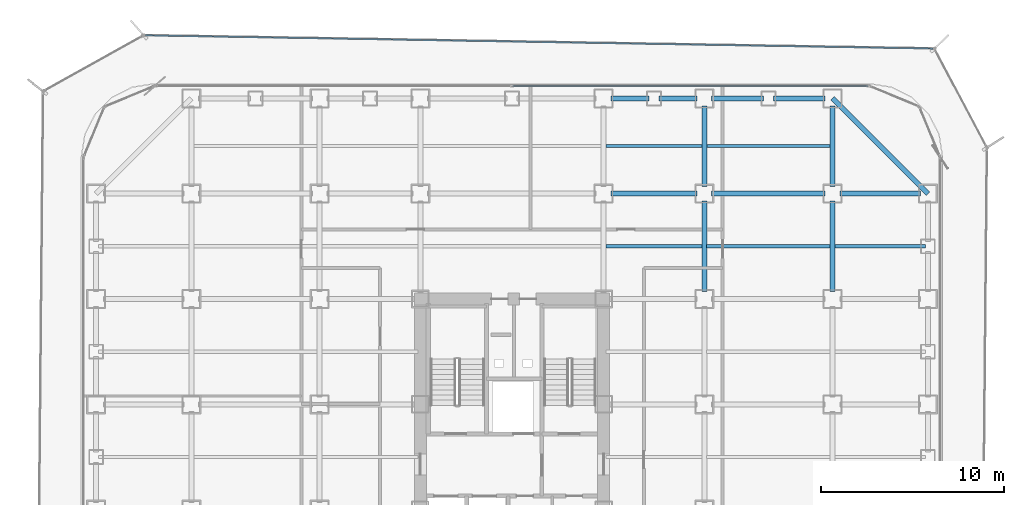
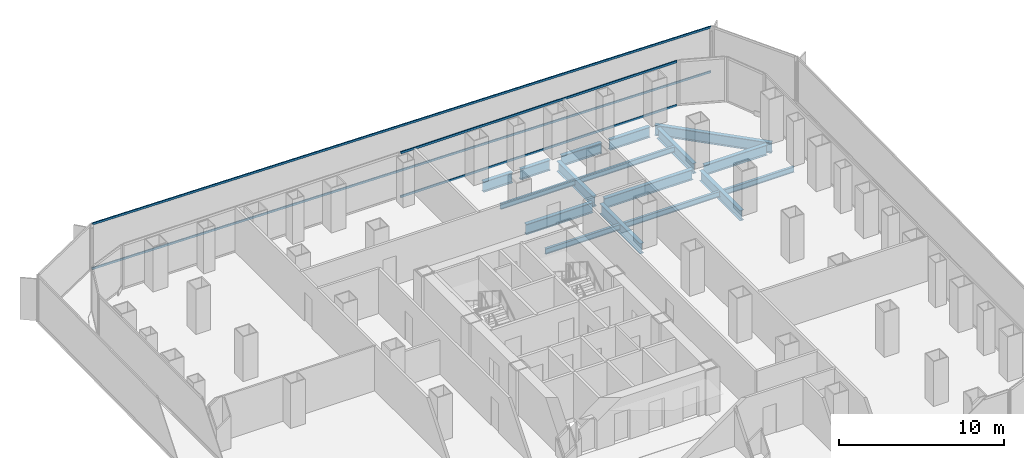
# One storey, part 14 of 21: 17 beams, 4 members, 2 elements without a shape of their own.
"""IFC4 building model written with IfcOpenShell, lengths in metres."""

from ifc_helpers import new_model, si_unit, direction, frame, origin, origin_2d, place, context, subcontext, project, spatial, hollow_rectangle, i_section, extrude, source, transform, mapped, material, layer, layer_set, material_profile, profile_set, type_object, element, aggregate, save


model = new_model("IFC4")

# Units and contexts
model_context = context("Model", 3, precision=1e-05, world=origin(), true_north=direction((0.0, 1.0)))
body_context = subcontext(model_context, "Body", "Model", "MODEL_VIEW")
ifc_project = project(units=[si_unit("LENGTHUNIT", "METRE"), si_unit("AREAUNIT", "SQUARE_METRE"), si_unit("VOLUMEUNIT", "CUBIC_METRE"), si_unit("PLANEANGLEUNIT", "RADIAN"), si_unit("MASSUNIT", "GRAM", prefix="KILO")], contexts=[model_context])

# Site, building, storey
site_placement = place(None, origin())
site = spatial("IfcSite", under=ifc_project, at=site_placement, CompositionType="ELEMENT")
building_placement = place(site_placement, origin())
building = spatial("IfcBuilding", under=site, at=building_placement, Name="Kolveth Station Tower", CompositionType="ELEMENT")
storey_placement = place(building_placement, frame((0.0, 0.0, 58.5)))
storey = spatial("IfcBuildingStorey", under=building, at=storey_placement, Name="L15", CompositionType="ELEMENT", Elevation=58.5)

# Beams
ifc_material_1 = material(Name="Steel S355", Category="steel")
ifc_material_profile_1 = material_profile(ifc_material_1, i_section(OverallWidth=0.26904296875, OverallDepth=0.77490234375, WebThickness=0.01708984375, FlangeThickness=0.0283203125, at=origin_2d()), Name="W760x220")
ifc_profile_set_1 = profile_set([ifc_material_profile_1], Name="Steel S355")
beam_type_1 = type_object("IfcBeamType", Name="Beam_SP1", PredefinedType="SPANDREL", material=ifc_profile_set_1)
shared_shape_1 = source(origin(), body_context, "Body", "SweptSolid", [
    extrude(i_section(OverallWidth=0.26904296875, OverallDepth=0.77490234375, WebThickness=0.01708984375, FlangeThickness=0.0283203125, at=origin_2d()), origin(), (0.0, 0.0, 1.0), 7.353759765625),
])
beam_1_placement = place(storey_placement, frame((46.199951171875, 34.5, -0.66748046875), z_axis=(-0.707106781187, 0.707106781187, 0.0), x_axis=(-0.707106781187, -0.707106781187, 0.0)))
element("IfcBeam", 1, at=beam_1_placement, inside=storey, type_object=beam_type_1, Name="L15 Corner Edge Girder BM-L15-CNR-NE", PredefinedType="SPANDREL", context=body_context, shape_type="MappedRepresentation", body=[
    mapped(shared_shape_1, transform((0.0, 0.0, 0.0), x_axis=(1.0, 0.0, 0.0), y_axis=(0.0, 1.0, 0.0), z_axis=(0.0, 0.0, 1.0), scale=1.0)),
])
shared_shape_2 = source(origin(), body_context, "Body", "SweptSolid", [
    extrude(i_section(OverallWidth=0.26904296875, OverallDepth=0.77490234375, WebThickness=0.01708984375, FlangeThickness=0.0283203125, at=origin_2d()), origin(), (0.0, 0.0, 1.0), 2.820068359375),
])
for number, where, z_axis, x_axis, name in (
    (2, (34.39990234375, 39.699951171875, -0.66748046875), (1.0, 0.0, 0.0), (0.0, 1.0, 0.0), "L15 Perimeter Spandrel BM-L15-PN-9"),
    (3, (37.780029296875, 39.699951171875, -0.66748046875), (1.0, 0.0, 0.0), (0.0, 1.0, 0.0), "L15 Perimeter Spandrel BM-L15-PN-10"),
):
    element("IfcBeam", number, at=place(storey_placement, frame(where, z_axis=z_axis, x_axis=x_axis)), inside=storey, type_object=beam_type_1, Name=name, PredefinedType="SPANDREL", context=body_context, shape_type="MappedRepresentation", body=[
        mapped(shared_shape_2, transform((0.0, 0.0, 0.0), x_axis=(1.0, 0.0, 0.0), y_axis=(0.0, 1.0, 0.0), z_axis=(0.0, 0.0, 1.0), scale=1.0)),
    ])
shared_shape_3 = source(origin(), body_context, "Body", "SweptSolid", [
    extrude(i_section(OverallWidth=0.26904296875, OverallDepth=0.77490234375, WebThickness=0.01708984375, FlangeThickness=0.0283203125, at=origin_2d()), origin(), (0.0, 0.0, 1.0), 2.070068359375),
])
for number, where, z_axis, x_axis, name in (
    (4, (28.89990234375, 39.699951171875, -0.66748046875), (1.0, 0.0, 0.0), (0.0, 1.0, 0.0), "L15 Perimeter Spandrel BM-L15-PN-7"),
    (5, (31.530029296875, 39.699951171875, -0.66748046875), (1.0, 0.0, 0.0), (0.0, 1.0, 0.0), "L15 Perimeter Spandrel BM-L15-PN-8"),
):
    element("IfcBeam", number, at=place(storey_placement, frame(where, z_axis=z_axis, x_axis=x_axis)), inside=storey, type_object=beam_type_1, Name=name, PredefinedType="SPANDREL", context=body_context, shape_type="MappedRepresentation", body=[
        mapped(shared_shape_3, transform((0.0, 0.0, 0.0), x_axis=(1.0, 0.0, 0.0), y_axis=(0.0, 1.0, 0.0), z_axis=(0.0, 0.0, 1.0), scale=1.0)),
    ])
ifc_material_profile_2 = material_profile(ifc_material_1, i_section(OverallWidth=0.26708984375, OverallDepth=0.76611328125, WebThickness=0.014892578125, FlangeThickness=0.023681640625, at=origin_2d()), Name="W760x185")
ifc_profile_set_2 = profile_set([ifc_material_profile_2], Name="Steel S355")
beam_type_2 = type_object("IfcBeamType", Name="Beam_B3", PredefinedType="BEAM", material=ifc_profile_set_2)
shared_shape_4 = source(origin(), body_context, "Body", "SweptSolid", [
    extrude(i_section(OverallWidth=0.26708984375, OverallDepth=0.76611328125, WebThickness=0.014892578125, FlangeThickness=0.023681640625, at=origin_2d()), origin(), (0.0, 0.0, 1.0), 4.400146484375),
])
for number, where, z_axis, x_axis, name in (
    (6, (41.39990234375, 34.5, -0.6630859375), (1.0, 0.0, 0.0), (0.0, 1.0, 0.0), "L15 Primary Girder BM-L15-GY345-7"),
    (7, (34.0, 34.89990234375, -0.6630859375), (0.0, 1.0, 0.0), (-1.0, 0.0, 0.0), "L15 Primary Girder BM-L15-GX340-7"),
    (8, (41.0, 34.89990234375, -0.6630859375), (0.0, 1.0, 0.0), (-1.0, 0.0, 0.0), "L15 Primary Girder BM-L15-GX410-7"),
):
    element("IfcBeam", number, at=place(storey_placement, frame(where, z_axis=z_axis, x_axis=x_axis)), inside=storey, type_object=beam_type_2, Name=name, PredefinedType="BEAM", context=body_context, shape_type="MappedRepresentation", body=[
        mapped(shared_shape_4, transform((0.0, 0.0, 0.0), x_axis=(1.0, 0.0, 0.0), y_axis=(0.0, 1.0, 0.0), z_axis=(0.0, 0.0, 1.0), scale=1.0)),
    ])
shared_shape_5 = source(origin(), body_context, "Body", "SweptSolid", [
    extrude(i_section(OverallWidth=0.26708984375, OverallDepth=0.76611328125, WebThickness=0.014892578125, FlangeThickness=0.023681640625, at=origin_2d()), origin(), (0.0, 0.0, 1.0), 6.2001953125),
])
beam_2_placement = place(storey_placement, frame((34.39990234375, 34.5, -0.6630859375), z_axis=(1.0, 0.0, 0.0), x_axis=(0.0, 1.0, 0.0)))
element("IfcBeam", 9, at=beam_2_placement, inside=storey, type_object=beam_type_2, Name="L15 Primary Girder BM-L15-GY345-6", PredefinedType="BEAM", context=body_context, shape_type="MappedRepresentation", body=[
    mapped(shared_shape_5, transform((0.0, 0.0, 0.0), x_axis=(1.0, 0.0, 0.0), y_axis=(0.0, 1.0, 0.0), z_axis=(0.0, 0.0, 1.0), scale=1.0)),
])
shared_shape_6 = source(origin(), body_context, "Body", "SweptSolid", [
    extrude(i_section(OverallWidth=0.26708984375, OverallDepth=0.76611328125, WebThickness=0.014892578125, FlangeThickness=0.023681640625, at=origin_2d()), origin(), (0.0, 0.0, 1.0), 4.7001953125),
])
beam_3_placement = place(storey_placement, frame((28.89990234375, 34.5, -0.6630859375), z_axis=(1.0, 0.0, 0.0), x_axis=(0.0, 1.0, 0.0)))
element("IfcBeam", 10, at=beam_3_placement, inside=storey, type_object=beam_type_2, Name="L15 Primary Girder BM-L15-GY345-5", PredefinedType="BEAM", context=body_context, shape_type="MappedRepresentation", body=[
    mapped(shared_shape_6, transform((0.0, 0.0, 0.0), x_axis=(1.0, 0.0, 0.0), y_axis=(0.0, 1.0, 0.0), z_axis=(0.0, 0.0, 1.0), scale=1.0)),
])
shared_shape_7 = source(origin(), body_context, "Body", "SweptSolid", [
    extrude(i_section(OverallWidth=0.26708984375, OverallDepth=0.76611328125, WebThickness=0.014892578125, FlangeThickness=0.023681640625, at=origin_2d()), origin(), (0.0, 0.0, 1.0), 4.9501953125),
])
for number, where, z_axis, x_axis, name in (
    (11, (34.0, 29.14990234375, -0.6630859375), (0.0, 1.0, 0.0), (-1.0, 0.0, 0.0), "L15 Primary Girder BM-L15-GX340-6"),
    (12, (41.0, 29.14990234375, -0.6630859375), (0.0, 1.0, 0.0), (-1.0, 0.0, 0.0), "L15 Primary Girder BM-L15-GX410-6"),
):
    element("IfcBeam", number, at=place(storey_placement, frame(where, z_axis=z_axis, x_axis=x_axis)), inside=storey, type_object=beam_type_2, Name=name, PredefinedType="BEAM", context=body_context, shape_type="MappedRepresentation", body=[
        mapped(shared_shape_7, transform((0.0, 0.0, 0.0), x_axis=(1.0, 0.0, 0.0), y_axis=(0.0, 1.0, 0.0), z_axis=(0.0, 0.0, 1.0), scale=1.0)),
    ])
ifc_material_profile_3 = material_profile(ifc_material_1, i_section(OverallWidth=0.177978515625, OverallDepth=0.406982421875, WebThickness=0.0078125, FlangeThickness=0.0126953125, at=origin_2d()), Name="W410x60")
ifc_profile_set_3 = profile_set([ifc_material_profile_3], Name="Steel S355")
beam_type_3 = type_object("IfcBeamType", Name="Beam_J1", PredefinedType="JOIST", material=ifc_profile_set_3)
shared_shape_8 = source(origin(), body_context, "Body", "SweptSolid", [
    extrude(i_section(OverallWidth=0.177978515625, OverallDepth=0.406982421875, WebThickness=0.0078125, FlangeThickness=0.0126953125, at=origin_2d()), origin(), (0.0, 0.0, 1.0), 4.935791015625),
])
beam_4_placement = place(storey_placement, frame((41.131591796875, 31.625, -0.4833984375), z_axis=(1.0, 0.0, 0.0), x_axis=(0.0, 1.0, 0.0)))
element("IfcBeam", 13, at=beam_4_placement, inside=storey, type_object=beam_type_3, Name="L15 Secondary Joist JST-L15-7-6", PredefinedType="JOIST", context=body_context, shape_type="MappedRepresentation", body=[
    mapped(shared_shape_8, transform((0.0, 0.0, 0.0), x_axis=(1.0, 0.0, 0.0), y_axis=(0.0, 1.0, 0.0), z_axis=(0.0, 0.0, 1.0), scale=1.0)),
])
shared_shape_9 = source(origin(), body_context, "Body", "SweptSolid", [
    extrude(i_section(OverallWidth=0.177978515625, OverallDepth=0.406982421875, WebThickness=0.0078125, FlangeThickness=0.0126953125, at=origin_2d()), origin(), (0.0, 0.0, 1.0), 6.73681640625),
])
for number, where, z_axis, x_axis, name in (
    (14, (34.131591796875, 31.625, -0.4833984375), (1.0, 0.0, 0.0), (0.0, 1.0, 0.0), "L15 Secondary Joist JST-L15-6-6"),
    (15, (34.131591796875, 37.10009765625, -0.4833984375), (1.0, 0.0, 0.0), (0.0, 1.0, 0.0), "L15 Secondary Joist JST-L15-6-7"),
):
    element("IfcBeam", number, at=place(storey_placement, frame(where, z_axis=z_axis, x_axis=x_axis)), inside=storey, type_object=beam_type_3, Name=name, PredefinedType="JOIST", context=body_context, shape_type="MappedRepresentation", body=[
        mapped(shared_shape_9, transform((0.0, 0.0, 0.0), x_axis=(1.0, 0.0, 0.0), y_axis=(0.0, 1.0, 0.0), z_axis=(0.0, 0.0, 1.0), scale=1.0)),
    ])
shared_shape_10 = source(origin(), body_context, "Body", "SweptSolid", [
    extrude(i_section(OverallWidth=0.177978515625, OverallDepth=0.406982421875, WebThickness=0.0078125, FlangeThickness=0.0126953125, at=origin_2d()), origin(), (0.0, 0.0, 1.0), 5.23681640625),
])
for number, where, z_axis, x_axis, name in (
    (16, (28.631591796875, 31.625, -0.4833984375), (1.0, 0.0, 0.0), (0.0, 1.0, 0.0), "L15 Secondary Joist JST-L15-5-6"),
    (17, (28.631591796875, 37.10009765625, -0.4833984375), (1.0, 0.0, 0.0), (0.0, 1.0, 0.0), "L15 Secondary Joist JST-L15-5-7"),
):
    element("IfcBeam", number, at=place(storey_placement, frame(where, z_axis=z_axis, x_axis=x_axis)), inside=storey, type_object=beam_type_3, Name=name, PredefinedType="JOIST", context=body_context, shape_type="MappedRepresentation", body=[
        mapped(shared_shape_10, transform((0.0, 0.0, 0.0), x_axis=(1.0, 0.0, 0.0), y_axis=(0.0, 1.0, 0.0), z_axis=(0.0, 0.0, 1.0), scale=1.0)),
    ])

# Curtain wall, members
ifc_material_2 = material(Name="Aluminium 6063-T6 and low-E dark glass", Category="aluminium")
ifc_layer_1 = layer(ifc_material_2, 0.179931640625)
ifc_layer_set_1 = layer_set([ifc_layer_1], Name="Aluminium 6063-T6 and low-E dark glass")
curtain_wall_type_1 = type_object("IfcCurtainWallType", Name="CurtainWall_CW-Z1", PredefinedType="NOTDEFINED", material=ifc_layer_set_1)
curtain_wall_1_placement = place(storey_placement, origin())
curtain_wall_1 = element("IfcCurtainWall", 18, at=curtain_wall_1_placement, inside=storey, type_object=curtain_wall_type_1, Name="L15 Inner Thermal Curtain Wall 6", PredefinedType="NOTDEFINED")
ifc_material_3 = material(Name="Black anodized aluminium 6063-T6", Category="aluminium")
ifc_material_profile_4 = material_profile(ifc_material_3, hollow_rectangle(XDim=0.074951171875, YDim=0.159912109375, WallThickness=0.0048828125, at=origin_2d()), Name="ALU-75x160x5")
ifc_profile_set_4 = profile_set([ifc_material_profile_4], Name="Black anodized aluminium 6063-T6")
member_type_1 = type_object("IfcMemberType", Name="Transom_TR1", PredefinedType="USERDEFINED", material=ifc_profile_set_4)
shared_shape_11 = source(origin(), body_context, "Body", "SweptSolid", [
    extrude(hollow_rectangle(XDim=0.074951171875, YDim=0.159912109375, WallThickness=0.0048828125, at=origin_2d()), origin(), (0.0, 0.0, 1.0), 19.387451171875),
])
member_1_placement = place(storey_placement, frame((42.925048828125, 40.3798828125, 0.03759765625), z_axis=(-1.0, 0.0, 0.0), x_axis=(0.0, -1.0, 0.0)))
member_1 = element("IfcMember", 19, at=member_1_placement, type_object=member_type_1, Name="CW-Z1 transom 1.1", ObjectType="TRANSOM", PredefinedType="USERDEFINED", context=body_context, shape_type="MappedRepresentation", body=[
    mapped(shared_shape_11, transform((0.0, 0.0, 0.0), x_axis=(1.0, 0.0, 0.0), y_axis=(0.0, 1.0, 0.0), z_axis=(0.0, 0.0, 1.0), scale=1.0)),
])
member_2_placement = place(storey_placement, frame((42.925048828125, 40.3798828125, 3.282470703125), z_axis=(-1.0, 0.0, 0.0), x_axis=(0.0, -1.0, 0.0)))
member_2 = element("IfcMember", 20, at=member_2_placement, type_object=member_type_1, Name="CW-Z1 transom 1.2", ObjectType="TRANSOM", PredefinedType="USERDEFINED", context=body_context, shape_type="MappedRepresentation", body=[
    mapped(shared_shape_11, transform((0.0, 0.0, 0.0), x_axis=(1.0, 0.0, 0.0), y_axis=(0.0, 1.0, 0.0), z_axis=(0.0, 0.0, 1.0), scale=1.0)),
])
aggregate(curtain_wall_1, [member_1, member_2])

ifc_material_4 = material(Name="Black anodized aluminium 6063-T6 and dark solar glass", Category="aluminium")
ifc_layer_2 = layer(ifc_material_4, 0.159912109375)
ifc_layer_set_2 = layer_set([ifc_layer_2], Name="Black anodized aluminium 6063-T6 and dark solar glass")
curtain_wall_type_2 = type_object("IfcCurtainWallType", Name="OUTER SKIN CW-OS", PredefinedType="NOTDEFINED", material=ifc_layer_set_2)
curtain_wall_2_placement = place(storey_placement, origin())
curtain_wall_2 = element("IfcCurtainWall", 21, at=curtain_wall_2_placement, inside=storey, type_object=curtain_wall_type_2, Name="L15 Outer Ventilated Skin Curtain Wall 4", PredefinedType="NOTDEFINED")
ifc_material_profile_5 = material_profile(ifc_material_3, hollow_rectangle(XDim=0.080078125, YDim=0.14990234375, WallThickness=0.0048828125, at=origin_2d()), Name="ALU-80x150x5")
ifc_profile_set_5 = profile_set([ifc_material_profile_5], Name="Black anodized aluminium 6063-T6")
member_type_2 = type_object("IfcMemberType", Name="Transom_TR-OS", PredefinedType="USERDEFINED", material=ifc_profile_set_5)
shared_shape_12 = source(origin(), body_context, "Body", "SweptSolid", [
    extrude(hollow_rectangle(XDim=0.080078125, YDim=0.14990234375, WallThickness=0.0048828125, at=origin_2d()), origin(), (0.0, 0.0, 1.0), 42.989013671875),
])
member_3_placement = place(storey_placement, frame((46.472412109375, 42.422119140625, 0.0400390625), z_axis=(-0.999859555287, 0.016759167704, 0.0), x_axis=(-0.016759167704, -0.999859555287, 0.0)))
member_3 = element("IfcMember", 22, at=member_3_placement, type_object=member_type_2, Name="CW-OS transom 1.1", ObjectType="TRANSOM", PredefinedType="USERDEFINED", context=body_context, shape_type="MappedRepresentation", body=[
    mapped(shared_shape_12, transform((0.0, 0.0, 0.0), x_axis=(1.0, 0.0, 0.0), y_axis=(0.0, 1.0, 0.0), z_axis=(0.0, 0.0, 1.0), scale=1.0)),
])
member_4_placement = place(storey_placement, frame((46.472412109375, 42.422119140625, 3.35009765625), z_axis=(-0.999859555287, 0.016759167704, 0.0), x_axis=(-0.016759167704, -0.999859555287, 0.0)))
member_4 = element("IfcMember", 23, at=member_4_placement, type_object=member_type_2, Name="CW-OS transom 1.2", ObjectType="TRANSOM", PredefinedType="USERDEFINED", context=body_context, shape_type="MappedRepresentation", body=[
    mapped(shared_shape_12, transform((0.0, 0.0, 0.0), x_axis=(1.0, 0.0, 0.0), y_axis=(0.0, 1.0, 0.0), z_axis=(0.0, 0.0, 1.0), scale=1.0)),
])
aggregate(curtain_wall_2, [member_3, member_4])

save(model, "model.ifc")
